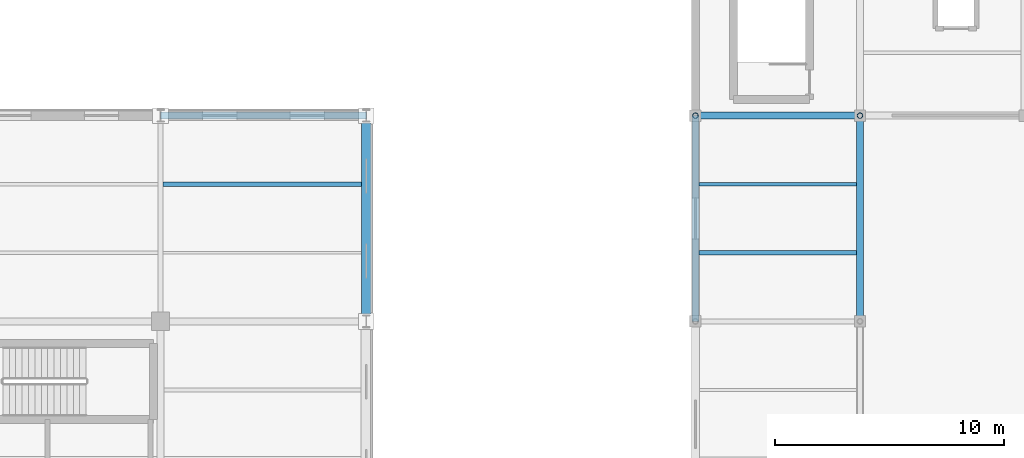
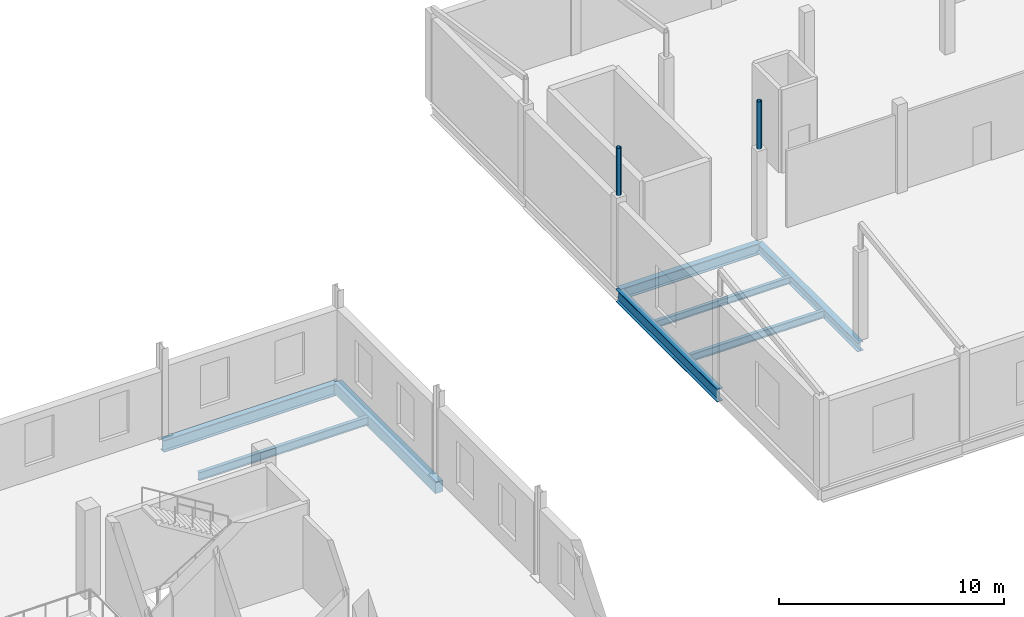
# One storey, part 9 of 35: 8 beams, 2 members.
"""IFC4 building model written with IfcOpenShell, lengths in metres."""

from ifc_helpers import new_model, si_unit, direction, frame, origin, origin_2d, place, context, subcontext, project, spatial, rectangle, hollow_circle, i_section, extrude, material, material_profile, profile_set, type_object, element, save


model = new_model("IFC4")

# Units and contexts
model_context = context("Model", 3, precision=1e-05, world=origin(), true_north=direction((0.0, 1.0)))
body_context = subcontext(model_context, "Body", "Model", "MODEL_VIEW")
ifc_project = project(units=[si_unit("LENGTHUNIT", "METRE"), si_unit("AREAUNIT", "SQUARE_METRE"), si_unit("VOLUMEUNIT", "CUBIC_METRE"), si_unit("PLANEANGLEUNIT", "RADIAN"), si_unit("MASSUNIT", "GRAM", prefix="KILO")], contexts=[model_context])

# Site, building, storey
site_placement = place(None, origin())
site = spatial("IfcSite", under=ifc_project, at=site_placement, CompositionType="ELEMENT")
building_placement = place(site_placement, origin())
building = spatial("IfcBuilding", under=site, at=building_placement, Name="Sundgate Opera House", CompositionType="ELEMENT")
storey_placement = place(building_placement, frame((0.0, 0.0, 21.60009765625)))
storey = spatial("IfcBuildingStorey", under=building, at=storey_placement, Name="L04", CompositionType="ELEMENT", Elevation=21.60009765625)

# Beams
ifc_material_1 = material(Name="Steel S355J2", Category="steel")
ifc_material_profile_1 = material_profile(ifc_material_1, i_section(OverallWidth=0.300048828125, OverallDepth=0.5, WebThickness=0.014404296875, FlangeThickness=0.028076171875, at=origin_2d()), Name="HEB 500")
ifc_profile_set_1 = profile_set([ifc_material_profile_1], Name="Steel S355J2")
beam_type_1 = type_object("IfcBeamType", Name="BM-GR-HEB500", PredefinedType="BEAM", material=ifc_profile_set_1)
beam_1_placement = place(storey_placement, frame((102.60009765625, 78.0, -0.530029296875), z_axis=(0.0, 1.0, 0.0), x_axis=(-1.0, 0.0, 0.0)))
element("IfcBeam", 1, at=beam_1_placement, inside=storey, type_object=beam_type_1, Name="L04 Primary N-S Girder B2925", PredefinedType="BEAM", context=body_context, shape_type="SweptSolid", body=[
    extrude(i_section(OverallWidth=0.300048828125, OverallDepth=0.5, WebThickness=0.014404296875, FlangeThickness=0.028076171875, at=origin_2d()), origin(), (0.0, 0.0, 1.0), 9.0),
])
ifc_material_2 = material(Name="Steel S355J2", Category="steel")
ifc_material_profile_2 = material_profile(ifc_material_2, i_section(OverallWidth=0.300048828125, OverallDepth=0.60009765625, WebThickness=0.015380859375, FlangeThickness=0.030029296875, at=origin_2d()), Name="HEB 600")
ifc_profile_set_2 = profile_set([ifc_material_profile_2], Name="Steel S355J2")
beam_type_2 = type_object("IfcBeamType", Name="BM-GR-HEB600", PredefinedType="BEAM", material=ifc_profile_set_2)
beam_2_placement = place(storey_placement, frame((95.39990234375, 87.0, -0.580078125), z_axis=(1.0, 0.0, 0.0), x_axis=(0.0, 1.0, 0.0)))
element("IfcBeam", 2, at=beam_2_placement, inside=storey, type_object=beam_type_2, Name="L04 Primary E-W Girder B2989", PredefinedType="BEAM", context=body_context, shape_type="SweptSolid", body=[
    extrude(i_section(OverallWidth=0.300048828125, OverallDepth=0.60009765625, WebThickness=0.015380859375, FlangeThickness=0.030029296875, at=origin_2d()), origin(), (0.0, 0.0, 1.0), 7.2001953125),
])
ifc_material_3 = material(Name="Steel S355J2", Category="steel")
ifc_material_profile_3 = material_profile(ifc_material_3, i_section(OverallWidth=0.300048828125, OverallDepth=0.64990234375, WebThickness=0.01611328125, FlangeThickness=0.031005859375, at=origin_2d()), Name="HEB 650")
ifc_profile_set_3 = profile_set([ifc_material_profile_3], Name="Steel S355J2")
beam_type_3 = type_object("IfcBeamType", Name="BM-GR-HEB650", PredefinedType="BEAM", material=ifc_profile_set_3)
beam_3_placement = place(storey_placement, frame((72.0, 87.0, -0.60498046875), z_axis=(1.0, 0.0, 0.0), x_axis=(0.0, 1.0, 0.0)))
element("IfcBeam", 3, at=beam_3_placement, inside=storey, type_object=beam_type_3, Name="L04 Primary E-W Girder B2988", PredefinedType="BEAM", context=body_context, shape_type="SweptSolid", body=[
    extrude(i_section(OverallWidth=0.300048828125, OverallDepth=0.64990234375, WebThickness=0.01611328125, FlangeThickness=0.031005859375, at=origin_2d()), origin(), (0.0, 0.0, 1.0), 9.0),
])
ifc_material_4 = material(Name="Steel S355J2", Category="steel")
ifc_material_profile_4 = material_profile(ifc_material_4, i_section(OverallWidth=0.300048828125, OverallDepth=0.699951171875, WebThickness=0.01708984375, FlangeThickness=0.031982421875, at=origin_2d()), Name="HEB 700")
ifc_profile_set_4 = profile_set([ifc_material_profile_4], Name="Steel S355J2")
beam_type_4 = type_object("IfcBeamType", Name="BM-GR-HEB700", PredefinedType="BEAM", material=ifc_profile_set_4)
beam_4_placement = place(storey_placement, frame((95.39990234375, 78.0, -0.630126953125), z_axis=(0.0, 1.0, 0.0), x_axis=(-1.0, 0.0, 0.0)))
element("IfcBeam", 4, at=beam_4_placement, inside=storey, type_object=beam_type_4, Name="L04 Primary N-S Girder B2921", PredefinedType="BEAM", context=body_context, shape_type="SweptSolid", body=[
    extrude(i_section(OverallWidth=0.300048828125, OverallDepth=0.699951171875, WebThickness=0.01708984375, FlangeThickness=0.031982421875, at=origin_2d()), origin(), (0.0, 0.0, 1.0), 9.0),
])
ifc_material_5 = material(Name="Steel S355J2", Category="steel")
ifc_material_profile_5 = material_profile(ifc_material_5, i_section(OverallWidth=0.169921875, OverallDepth=0.360107421875, WebThickness=0.008056640625, FlangeThickness=0.0126953125, at=origin_2d()), Name="IPE 360")
ifc_profile_set_5 = profile_set([ifc_material_profile_5], Name="Steel S355J2")
beam_type_5 = type_object("IfcBeamType", Name="BM-JS-IPE360", PredefinedType="JOIST", material=ifc_profile_set_5)
beam_5_placement = place(storey_placement, frame((95.550048828125, 84.0, -0.460205078125), z_axis=(1.0, 0.0, 0.0), x_axis=(0.0, 1.0, 0.0)))
element("IfcBeam", 5, at=beam_5_placement, inside=storey, type_object=beam_type_5, Name="L04 Secondary Floor Joist B3056", PredefinedType="JOIST", context=body_context, shape_type="SweptSolid", body=[
    extrude(i_section(OverallWidth=0.169921875, OverallDepth=0.360107421875, WebThickness=0.008056640625, FlangeThickness=0.0126953125, at=origin_2d()), origin(), (0.0, 0.0, 1.0), 6.89990234375),
])
ifc_material_6 = material(Name="Steel S355J2", Category="steel")
ifc_material_profile_6 = material_profile(ifc_material_6, i_section(OverallWidth=0.179931640625, OverallDepth=0.39990234375, WebThickness=0.008544921875, FlangeThickness=0.013427734375, at=origin_2d()), Name="IPE 400")
ifc_profile_set_6 = profile_set([ifc_material_profile_6], Name="Steel S355J2")
beam_type_6 = type_object("IfcBeamType", Name="BM-JS-IPE400", PredefinedType="JOIST", material=ifc_profile_set_6)
beam_6_placement = place(storey_placement, frame((95.550048828125, 81.0, -0.47998046875), z_axis=(1.0, 0.0, 0.0), x_axis=(0.0, 1.0, 0.0)))
element("IfcBeam", 6, at=beam_6_placement, inside=storey, type_object=beam_type_6, Name="L04 Secondary Floor Joist B3055", PredefinedType="JOIST", context=body_context, shape_type="SweptSolid", body=[
    extrude(i_section(OverallWidth=0.179931640625, OverallDepth=0.39990234375, WebThickness=0.008544921875, FlangeThickness=0.013427734375, at=origin_2d()), origin(), (0.0, 0.0, 1.0), 6.89990234375),
])
ifc_material_7 = material(Name="Steel S355J2", Category="steel")
ifc_material_profile_7 = material_profile(ifc_material_7, i_section(OverallWidth=0.18994140625, OverallDepth=0.449951171875, WebThickness=0.009521484375, FlangeThickness=0.0146484375, at=origin_2d()), Name="IPE 450")
ifc_profile_set_7 = profile_set([ifc_material_profile_7], Name="Steel S355J2")
beam_type_7 = type_object("IfcBeamType", Name="BM-JS-IPE450", PredefinedType="JOIST", material=ifc_profile_set_7)
beam_7_placement = place(storey_placement, frame((72.110107421875, 84.0, -0.505126953125), z_axis=(1.0, 0.0, 0.0), x_axis=(0.0, 1.0, 0.0)))
element("IfcBeam", 7, at=beam_7_placement, inside=storey, type_object=beam_type_7, Name="L04 Secondary Floor Joist B3054", PredefinedType="JOIST", context=body_context, shape_type="SweptSolid", body=[
    extrude(i_section(OverallWidth=0.18994140625, OverallDepth=0.449951171875, WebThickness=0.009521484375, FlangeThickness=0.0146484375, at=origin_2d()), origin(), (0.0, 0.0, 1.0), 8.68994140625),
])
ifc_material_8 = material(Name="Concrete C35/45", Category="concrete")
ifc_material_profile_8 = material_profile(ifc_material_8, rectangle(XDim=0.39990234375, YDim=0.60009765625, at=origin_2d()), Name="RC 400x600")
ifc_profile_set_8 = profile_set([ifc_material_profile_8], Name="Concrete C35/45")
beam_type_8 = type_object("IfcBeamType", Name="BM-RC-400x600", PredefinedType="BEAM", material=ifc_profile_set_8)
beam_8_placement = place(storey_placement, frame((81.0, 78.0, -0.580078125), z_axis=(0.0, 1.0, 0.0), x_axis=(-1.0, 0.0, 0.0)))
element("IfcBeam", 8, at=beam_8_placement, inside=storey, type_object=beam_type_8, Name="L04 Primary N-S Girder B2919", PredefinedType="BEAM", context=body_context, shape_type="SweptSolid", body=[
    extrude(rectangle(XDim=0.39990234375, YDim=0.60009765625, at=origin_2d()), origin(), (0.0, 0.0, 1.0), 9.0),
])

# Members
ifc_material_9 = material(Name="Steel S355J2", Category="steel")
ifc_material_profile_9 = material_profile(ifc_material_9, hollow_circle(Radius=0.122314453125, WallThickness=0.012451171875, at=origin_2d()), Name="CHS 244.5x12.5")
ifc_profile_set_9 = profile_set([ifc_material_profile_9], Name="Steel S355J2")
member_type = type_object("IfcMemberType", Name="MB-STRUT-CHS244", PredefinedType="STRUT", material=ifc_profile_set_9)
for number, where, z_axis, x_axis, name in (
    (9, (95.39990234375, 87.0, 4.789794921875), (0.0, 0.0, 1.0), (1.0, 0.0, 0.0), "L04 Conservatory Crown Post M0436"),
    (10, (102.60009765625, 87.0, 4.789794921875), (0.0, 0.0, 1.0), (1.0, 0.0, 0.0), "L04 Conservatory Crown Post M0443"),
):
    element("IfcMember", number, at=place(storey_placement, frame(where, z_axis=z_axis, x_axis=x_axis)), inside=storey, type_object=member_type, Name=name, PredefinedType="STRUT", context=body_context, shape_type="SweptSolid", body=[
        extrude(hollow_circle(Radius=0.122314453125, WallThickness=0.012451171875, at=origin_2d()), origin(), (0.0, 0.0, 1.0), 2.56005859375),
    ])

save(model, "model.ifc")
